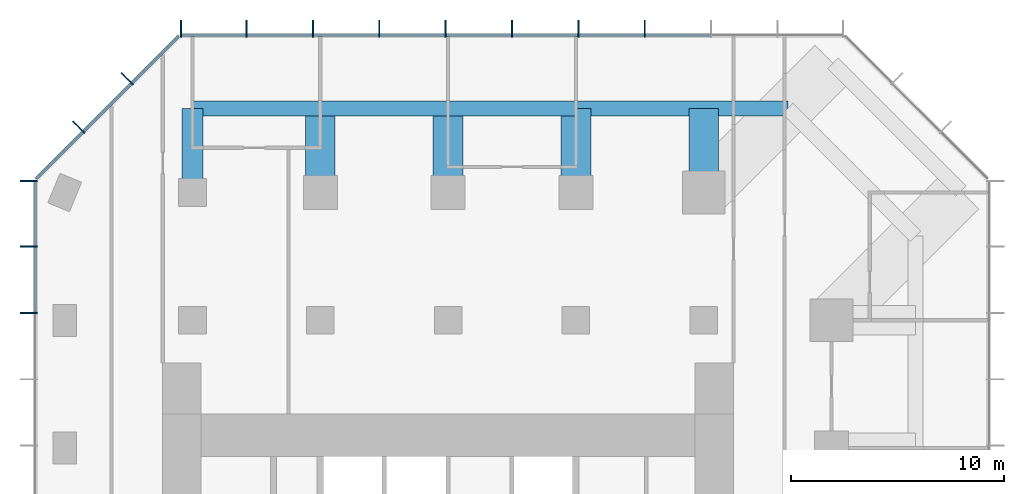
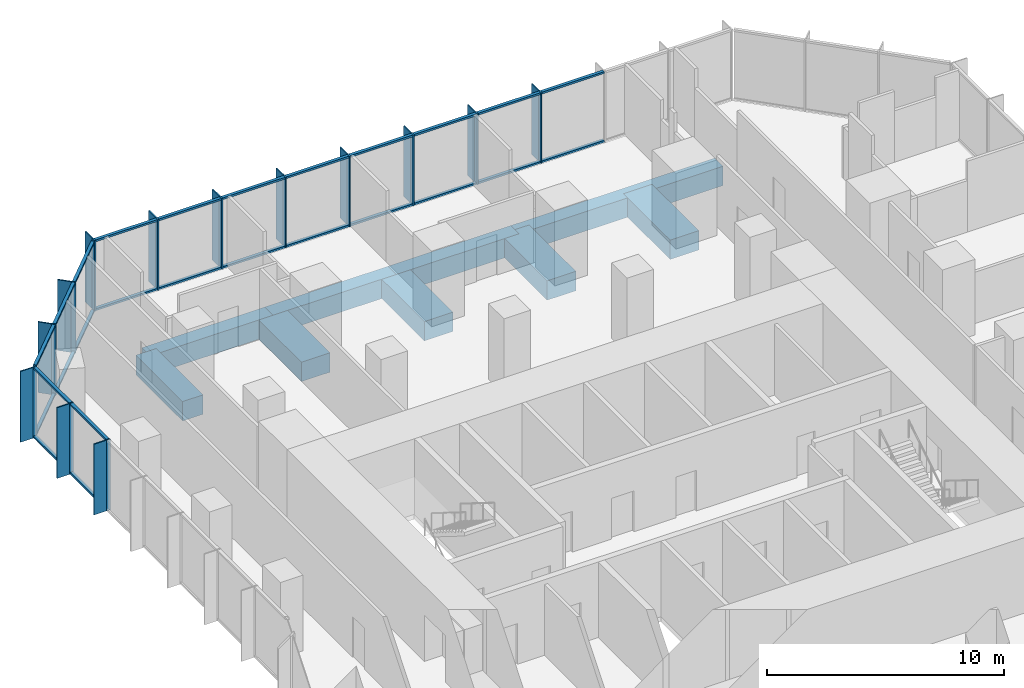
# One storey, part 5 of 11: 52 members, 9 beams, 3 elements without a shape of their own.
"""IFC4 building model written with IfcOpenShell, lengths in metres."""

from ifc_helpers import new_model, si_unit, direction, frame, origin, origin_2d, place, context, subcontext, project, spatial, rectangle, extrude, material, layer, layer_set, material_profile, profile_set, type_object, element, aggregate, save


model = new_model("IFC4")

# Units and contexts
model_context = context("Model", 3, precision=1e-05, world=origin(), true_north=direction((0.0, 1.0)))
body_context = subcontext(model_context, "Body", "Model", "MODEL_VIEW")
ifc_project = project(units=[si_unit("LENGTHUNIT", "METRE"), si_unit("AREAUNIT", "SQUARE_METRE"), si_unit("VOLUMEUNIT", "CUBIC_METRE"), si_unit("PLANEANGLEUNIT", "RADIAN"), si_unit("MASSUNIT", "GRAM", prefix="KILO")], contexts=[model_context])

# Site, building, storey
site_placement = place(None, origin())
site = spatial("IfcSite", under=ifc_project, at=site_placement, CompositionType="ELEMENT")
building_placement = place(site_placement, origin())
building = spatial("IfcBuilding", under=site, at=building_placement, Name="Highveld Stack Headquarters", CompositionType="ELEMENT")
storey_placement = place(building_placement, frame((0.0, 0.0, 169.39990234375)))
storey = spatial("IfcBuildingStorey", under=building, at=storey_placement, Name="L41", CompositionType="ELEMENT", Elevation=169.39990234375)

# Beams
ifc_material_1 = material(Name="Concrete C60/75", Category="concrete")
ifc_material_profile_1 = material_profile(ifc_material_1, rectangle(XDim=1.0, YDim=1.0, at=origin_2d()), Name="RC 1000x1000")
ifc_profile_set_1 = profile_set([ifc_material_profile_1], Name="Concrete C60/75")
beam_type_1 = type_object("IfcBeamType", Name="CANTILEVER RIB RC 1000x1000", PredefinedType="USERDEFINED", material=ifc_profile_set_1)
beam_1_placement = place(storey_placement, frame((-6.0, 24.0, -0.75), z_axis=(0.0, 1.0, 0.0), x_axis=(-1.0, 0.0, 0.0)))
element("IfcBeam", 1, at=beam_1_placement, inside=storey, type_object=beam_type_1, Name="Cantilever rib 5/J L41", ObjectType="CANTILEVER RIB", PredefinedType="USERDEFINED", context=body_context, shape_type="SweptSolid", body=[
    extrude(rectangle(XDim=1.0, YDim=1.0, at=origin_2d()), origin(), (0.0, 0.0, 1.0), 3.949951171875),
])
ifc_material_2 = material(Name="Concrete C60/75", Category="concrete")
ifc_material_profile_2 = material_profile(ifc_material_2, rectangle(XDim=1.39990234375, YDim=1.0, at=origin_2d()), Name="RC 1400x1000")
ifc_profile_set_2 = profile_set([ifc_material_profile_2], Name="Concrete C60/75")
beam_type_2 = type_object("IfcBeamType", Name="CANTILEVER RIB RC 1400x1000", PredefinedType="USERDEFINED", material=ifc_profile_set_2)
for number, where, z_axis, x_axis, name in (
    (2, (0.0, 24.0, -0.75), (0.0, 1.0, 0.0), (-1.0, 0.0, 0.0), "Cantilever rib 6/J L41"),
    (3, (6.0, 24.0, -0.75), (0.0, 1.0, 0.0), (-1.0, 0.0, 0.0), "Cantilever rib 7/J L41"),
    (4, (12.0, 24.0, -0.75), (0.0, 1.0, 0.0), (-1.0, 0.0, 0.0), "Cantilever rib 8/J L41"),
    (5, (18.0, 24.0, -0.75), (0.0, 1.0, 0.0), (-1.0, 0.0, 0.0), "Cantilever rib 9/J L41"),
):
    element("IfcBeam", number, at=place(storey_placement, frame(where, z_axis=z_axis, x_axis=x_axis)), inside=storey, type_object=beam_type_2, Name=name, ObjectType="CANTILEVER RIB", PredefinedType="USERDEFINED", context=body_context, shape_type="SweptSolid", body=[
        extrude(rectangle(XDim=1.39990234375, YDim=1.0, at=origin_2d()), origin(), (0.0, 0.0, 1.0), 3.949951171875),
    ])

# Curtain wall, members
ifc_material_3 = material(Name="Aluminium bronze anodised", Category="aluminium")
ifc_layer = layer(ifc_material_3, 0.199951171875)
ifc_layer_set = layer_set([ifc_layer], Name="Aluminium bronze anodised")
curtain_wall_type = type_object("IfcCurtainWallType", Name="CW6 SKY LOBBY UNITISED CURTAIN WALL", PredefinedType="NOTDEFINED", material=ifc_layer_set)
curtain_wall_1_placement = place(storey_placement, origin())
curtain_wall_1 = element("IfcCurtainWall", 6, at=curtain_wall_1_placement, inside=storey, type_object=curtain_wall_type, Name="Curtain wall CW6 L41 N", PredefinedType="NOTDEFINED")
ifc_material_4 = material(Name="Aluminium bronze anodised", Category="aluminium")
ifc_material_profile_3 = material_profile(ifc_material_4, rectangle(XDim=0.60009765625, YDim=0.06005859375, at=origin_2d()), Name="FIN 600x60")
ifc_profile_set_3 = profile_set([ifc_material_profile_3], Name="Aluminium bronze anodised")
member_type_1 = type_object("IfcMemberType", Name="CW6 BRONZE FIN 600x60", PredefinedType="USERDEFINED", material=ifc_profile_set_3)
member_1_placement = place(storey_placement, frame((15.23193359375, 31.800048828125, 0.0), z_axis=(0.0, 0.0, 1.0), x_axis=(0.0, -1.0, 0.0)))
member_1 = element("IfcMember", 7, at=member_1_placement, type_object=member_type_1, Name="CW6 fin L41 4", ObjectType="FIN", PredefinedType="USERDEFINED", context=body_context, shape_type="SweptSolid", body=[
    extrude(rectangle(XDim=0.60009765625, YDim=0.06005859375, at=origin_2d()), origin(), (0.0, 0.0, 1.0), 3.650146484375),
])
member_2_placement = place(storey_placement, frame((12.115966796875, 31.800048828125, 0.0), z_axis=(0.0, 0.0, 1.0), x_axis=(0.0, -1.0, 0.0)))
member_2 = element("IfcMember", 8, at=member_2_placement, type_object=member_type_1, Name="CW6 fin L41 5", ObjectType="FIN", PredefinedType="USERDEFINED", context=body_context, shape_type="SweptSolid", body=[
    extrude(rectangle(XDim=0.60009765625, YDim=0.06005859375, at=origin_2d()), origin(), (0.0, 0.0, 1.0), 3.650146484375),
])
member_3_placement = place(storey_placement, frame((9.0, 31.800048828125, 0.0), z_axis=(0.0, 0.0, 1.0), x_axis=(0.0, -1.0, 0.0)))
member_3 = element("IfcMember", 9, at=member_3_placement, type_object=member_type_1, Name="CW6 fin L41 6", ObjectType="FIN", PredefinedType="USERDEFINED", context=body_context, shape_type="SweptSolid", body=[
    extrude(rectangle(XDim=0.60009765625, YDim=0.06005859375, at=origin_2d()), origin(), (0.0, 0.0, 1.0), 3.650146484375),
])
member_4_placement = place(storey_placement, frame((5.884033203125, 31.800048828125, 0.0), z_axis=(0.0, 0.0, 1.0), x_axis=(0.0, -1.0, 0.0)))
member_4 = element("IfcMember", 10, at=member_4_placement, type_object=member_type_1, Name="CW6 fin L41 7", ObjectType="FIN", PredefinedType="USERDEFINED", context=body_context, shape_type="SweptSolid", body=[
    extrude(rectangle(XDim=0.60009765625, YDim=0.06005859375, at=origin_2d()), origin(), (0.0, 0.0, 1.0), 3.650146484375),
])
member_5_placement = place(storey_placement, frame((2.76806640625, 31.800048828125, 0.0), z_axis=(0.0, 0.0, 1.0), x_axis=(0.0, -1.0, 0.0)))
member_5 = element("IfcMember", 11, at=member_5_placement, type_object=member_type_1, Name="CW6 fin L41 8", ObjectType="FIN", PredefinedType="USERDEFINED", context=body_context, shape_type="SweptSolid", body=[
    extrude(rectangle(XDim=0.60009765625, YDim=0.06005859375, at=origin_2d()), origin(), (0.0, 0.0, 1.0), 3.650146484375),
])
member_6_placement = place(storey_placement, frame((-0.347900390625, 31.800048828125, 0.0), z_axis=(0.0, 0.0, 1.0), x_axis=(0.0, -1.0, 0.0)))
member_6 = element("IfcMember", 12, at=member_6_placement, type_object=member_type_1, Name="CW6 fin L41 9", ObjectType="FIN", PredefinedType="USERDEFINED", context=body_context, shape_type="SweptSolid", body=[
    extrude(rectangle(XDim=0.60009765625, YDim=0.06005859375, at=origin_2d()), origin(), (0.0, 0.0, 1.0), 3.650146484375),
])
member_7_placement = place(storey_placement, frame((-3.4638671875, 31.800048828125, 0.0), z_axis=(0.0, 0.0, 1.0), x_axis=(0.0, -1.0, 0.0)))
member_7 = element("IfcMember", 13, at=member_7_placement, type_object=member_type_1, Name="CW6 fin L41 10", ObjectType="FIN", PredefinedType="USERDEFINED", context=body_context, shape_type="SweptSolid", body=[
    extrude(rectangle(XDim=0.60009765625, YDim=0.06005859375, at=origin_2d()), origin(), (0.0, 0.0, 1.0), 3.650146484375),
])
member_8_placement = place(storey_placement, frame((-6.54736328125, 31.800048828125, 0.0), z_axis=(0.0, 0.0, 1.0), x_axis=(0.0, -1.0, 0.0)))
member_8 = element("IfcMember", 14, at=member_8_placement, type_object=member_type_1, Name="CW6 fin L41 11", ObjectType="FIN", PredefinedType="USERDEFINED", context=body_context, shape_type="SweptSolid", body=[
    extrude(rectangle(XDim=0.60009765625, YDim=0.06005859375, at=origin_2d()), origin(), (0.0, 0.0, 1.0), 3.650146484375),
])

curtain_wall_2_placement = place(storey_placement, origin())
curtain_wall_2 = element("IfcCurtainWall", 15, at=curtain_wall_2_placement, inside=storey, type_object=curtain_wall_type, Name="Curtain wall CW6 L41 NW", PredefinedType="NOTDEFINED")
member_9_placement = place(storey_placement, frame((-9.135986328125, 29.409423828125, 0.0), z_axis=(0.0, 0.0, 1.0), x_axis=(0.707106781187, -0.707106781187, 0.0)))
member_9 = element("IfcMember", 16, at=member_9_placement, type_object=member_type_1, Name="CW6 fin L41 1", ObjectType="FIN", PredefinedType="USERDEFINED", context=body_context, shape_type="SweptSolid", body=[
    extrude(rectangle(XDim=0.60009765625, YDim=0.06005859375, at=origin_2d()), origin(), (0.0, 0.0, 1.0), 3.650146484375),
])
member_10_placement = place(storey_placement, frame((-11.409423828125, 27.135986328125, 0.0), z_axis=(0.0, 0.0, 1.0), x_axis=(0.707106781187, -0.707106781187, 0.0)))
member_10 = element("IfcMember", 17, at=member_10_placement, type_object=member_type_1, Name="CW6 fin L41 2", ObjectType="FIN", PredefinedType="USERDEFINED", context=body_context, shape_type="SweptSolid", body=[
    extrude(rectangle(XDim=0.60009765625, YDim=0.06005859375, at=origin_2d()), origin(), (0.0, 0.0, 1.0), 3.650146484375),
])

curtain_wall_3_placement = place(storey_placement, origin())
curtain_wall_3 = element("IfcCurtainWall", 18, at=curtain_wall_3_placement, inside=storey, type_object=curtain_wall_type, Name="Curtain wall CW6 L41 W", PredefinedType="NOTDEFINED")
member_11_placement = place(storey_placement, frame((-13.800048828125, 24.54736328125, 0.0), z_axis=(0.0, 0.0, 1.0), x_axis=(1.0, 0.0, 0.0)))
member_11 = element("IfcMember", 19, at=member_11_placement, type_object=member_type_1, Name="CW6 fin L41 1", ObjectType="FIN", PredefinedType="USERDEFINED", context=body_context, shape_type="SweptSolid", body=[
    extrude(rectangle(XDim=0.60009765625, YDim=0.06005859375, at=origin_2d()), origin(), (0.0, 0.0, 1.0), 3.650146484375),
])
member_12_placement = place(storey_placement, frame((-13.800048828125, 21.4638671875, 0.0), z_axis=(0.0, 0.0, 1.0), x_axis=(1.0, 0.0, 0.0)))
member_12 = element("IfcMember", 20, at=member_12_placement, type_object=member_type_1, Name="CW6 fin L41 2", ObjectType="FIN", PredefinedType="USERDEFINED", context=body_context, shape_type="SweptSolid", body=[
    extrude(rectangle(XDim=0.60009765625, YDim=0.06005859375, at=origin_2d()), origin(), (0.0, 0.0, 1.0), 3.650146484375),
])
member_13_placement = place(storey_placement, frame((-13.800048828125, 18.347900390625, 0.0), z_axis=(0.0, 0.0, 1.0), x_axis=(1.0, 0.0, 0.0)))
member_13 = element("IfcMember", 21, at=member_13_placement, type_object=member_type_1, Name="CW6 fin L41 3", ObjectType="FIN", PredefinedType="USERDEFINED", context=body_context, shape_type="SweptSolid", body=[
    extrude(rectangle(XDim=0.60009765625, YDim=0.06005859375, at=origin_2d()), origin(), (0.0, 0.0, 1.0), 3.650146484375),
])

# Member
ifc_material_5 = material(Name="Aluminium bronze anodised", Category="aluminium")
ifc_material_profile_4 = material_profile(ifc_material_5, rectangle(XDim=0.199951171875, YDim=0.06494140625, at=origin_2d()), Name="CW6 MULLION 65x200")
ifc_profile_set_4 = profile_set([ifc_material_profile_4], Name="Aluminium bronze anodised")
member_type_2 = type_object("IfcMemberType", Name="CW6 MULLION 65x200", PredefinedType="MULLION", material=ifc_profile_set_4)
member_14_placement = place(storey_placement, frame((15.23193359375, 31.39990234375, 0.0), z_axis=(0.0, 0.0, 1.0), x_axis=(0.0, -1.0, 0.0)))
member_14 = element("IfcMember", 22, at=member_14_placement, type_object=member_type_2, Name="CW6 mullion L41 4", PredefinedType="MULLION", context=body_context, shape_type="SweptSolid", body=[
    extrude(rectangle(XDim=0.199951171875, YDim=0.06494140625, at=origin_2d()), origin(), (0.0, 0.0, 1.0), 3.650146484375),
])

member_15_placement = place(storey_placement, frame((12.115966796875, 31.39990234375, 0.0), z_axis=(0.0, 0.0, 1.0), x_axis=(0.0, -1.0, 0.0)))
member_15 = element("IfcMember", 23, at=member_15_placement, type_object=member_type_2, Name="CW6 mullion L41 5", PredefinedType="MULLION", context=body_context, shape_type="SweptSolid", body=[
    extrude(rectangle(XDim=0.199951171875, YDim=0.06494140625, at=origin_2d()), origin(), (0.0, 0.0, 1.0), 3.650146484375),
])

member_16_placement = place(storey_placement, frame((9.0, 31.39990234375, 0.0), z_axis=(0.0, 0.0, 1.0), x_axis=(0.0, -1.0, 0.0)))
member_16 = element("IfcMember", 24, at=member_16_placement, type_object=member_type_2, Name="CW6 mullion L41 6", PredefinedType="MULLION", context=body_context, shape_type="SweptSolid", body=[
    extrude(rectangle(XDim=0.199951171875, YDim=0.06494140625, at=origin_2d()), origin(), (0.0, 0.0, 1.0), 3.650146484375),
])

member_17_placement = place(storey_placement, frame((5.884033203125, 31.39990234375, 0.0), z_axis=(0.0, 0.0, 1.0), x_axis=(0.0, -1.0, 0.0)))
member_17 = element("IfcMember", 25, at=member_17_placement, type_object=member_type_2, Name="CW6 mullion L41 7", PredefinedType="MULLION", context=body_context, shape_type="SweptSolid", body=[
    extrude(rectangle(XDim=0.199951171875, YDim=0.06494140625, at=origin_2d()), origin(), (0.0, 0.0, 1.0), 3.650146484375),
])

member_18_placement = place(storey_placement, frame((2.76806640625, 31.39990234375, 0.0), z_axis=(0.0, 0.0, 1.0), x_axis=(0.0, -1.0, 0.0)))
member_18 = element("IfcMember", 26, at=member_18_placement, type_object=member_type_2, Name="CW6 mullion L41 8", PredefinedType="MULLION", context=body_context, shape_type="SweptSolid", body=[
    extrude(rectangle(XDim=0.199951171875, YDim=0.06494140625, at=origin_2d()), origin(), (0.0, 0.0, 1.0), 3.650146484375),
])

member_19_placement = place(storey_placement, frame((-0.347900390625, 31.39990234375, 0.0), z_axis=(0.0, 0.0, 1.0), x_axis=(0.0, -1.0, 0.0)))
member_19 = element("IfcMember", 27, at=member_19_placement, type_object=member_type_2, Name="CW6 mullion L41 9", PredefinedType="MULLION", context=body_context, shape_type="SweptSolid", body=[
    extrude(rectangle(XDim=0.199951171875, YDim=0.06494140625, at=origin_2d()), origin(), (0.0, 0.0, 1.0), 3.650146484375),
])

member_20_placement = place(storey_placement, frame((-3.4638671875, 31.39990234375, 0.0), z_axis=(0.0, 0.0, 1.0), x_axis=(0.0, -1.0, 0.0)))
member_20 = element("IfcMember", 28, at=member_20_placement, type_object=member_type_2, Name="CW6 mullion L41 10", PredefinedType="MULLION", context=body_context, shape_type="SweptSolid", body=[
    extrude(rectangle(XDim=0.199951171875, YDim=0.06494140625, at=origin_2d()), origin(), (0.0, 0.0, 1.0), 3.650146484375),
])

member_21_placement = place(storey_placement, frame((-6.54736328125, 31.39990234375, 0.0), z_axis=(0.0, 0.0, 1.0), x_axis=(0.0, -1.0, 0.0)))
member_21 = element("IfcMember", 29, at=member_21_placement, type_object=member_type_2, Name="CW6 mullion L41 11", PredefinedType="MULLION", context=body_context, shape_type="SweptSolid", body=[
    extrude(rectangle(XDim=0.199951171875, YDim=0.06494140625, at=origin_2d()), origin(), (0.0, 0.0, 1.0), 3.650146484375),
])

member_22_placement = place(storey_placement, frame((-8.853271484375, 29.126708984375, 0.0), z_axis=(0.0, 0.0, 1.0), x_axis=(0.707106781187, -0.707106781187, 0.0)))
member_22 = element("IfcMember", 30, at=member_22_placement, type_object=member_type_2, Name="CW6 mullion L41 1", PredefinedType="MULLION", context=body_context, shape_type="SweptSolid", body=[
    extrude(rectangle(XDim=0.199951171875, YDim=0.06494140625, at=origin_2d()), origin(), (0.0, 0.0, 1.0), 3.650146484375),
])

member_23_placement = place(storey_placement, frame((-11.126708984375, 26.853271484375, 0.0), z_axis=(0.0, 0.0, 1.0), x_axis=(0.707106781187, -0.707106781187, 0.0)))
member_23 = element("IfcMember", 31, at=member_23_placement, type_object=member_type_2, Name="CW6 mullion L41 2", PredefinedType="MULLION", context=body_context, shape_type="SweptSolid", body=[
    extrude(rectangle(XDim=0.199951171875, YDim=0.06494140625, at=origin_2d()), origin(), (0.0, 0.0, 1.0), 3.650146484375),
])

member_24_placement = place(storey_placement, frame((-13.39990234375, 24.54736328125, 0.0), z_axis=(0.0, 0.0, 1.0), x_axis=(1.0, 0.0, 0.0)))
member_24 = element("IfcMember", 32, at=member_24_placement, type_object=member_type_2, Name="CW6 mullion L41 1", PredefinedType="MULLION", context=body_context, shape_type="SweptSolid", body=[
    extrude(rectangle(XDim=0.199951171875, YDim=0.06494140625, at=origin_2d()), origin(), (0.0, 0.0, 1.0), 3.650146484375),
])

member_25_placement = place(storey_placement, frame((-13.39990234375, 21.4638671875, 0.0), z_axis=(0.0, 0.0, 1.0), x_axis=(1.0, 0.0, 0.0)))
member_25 = element("IfcMember", 33, at=member_25_placement, type_object=member_type_2, Name="CW6 mullion L41 2", PredefinedType="MULLION", context=body_context, shape_type="SweptSolid", body=[
    extrude(rectangle(XDim=0.199951171875, YDim=0.06494140625, at=origin_2d()), origin(), (0.0, 0.0, 1.0), 3.650146484375),
])

member_26_placement = place(storey_placement, frame((-13.39990234375, 18.347900390625, 0.0), z_axis=(0.0, 0.0, 1.0), x_axis=(1.0, 0.0, 0.0)))
member_26 = element("IfcMember", 34, at=member_26_placement, type_object=member_type_2, Name="CW6 mullion L41 3", PredefinedType="MULLION", context=body_context, shape_type="SweptSolid", body=[
    extrude(rectangle(XDim=0.199951171875, YDim=0.06494140625, at=origin_2d()), origin(), (0.0, 0.0, 1.0), 3.650146484375),
])

ifc_material_6 = material(Name="Aluminium bronze anodised", Category="aluminium")
ifc_material_profile_5 = material_profile(ifc_material_6, rectangle(XDim=0.14990234375, YDim=0.10009765625, at=origin_2d()), Name="CW6 TRANSOM 150x100")
ifc_profile_set_5 = profile_set([ifc_material_profile_5], Name="Aluminium bronze anodised")
member_type_3 = type_object("IfcMemberType", Name="CW6 STACK TRANSOM 150x100", PredefinedType="USERDEFINED", material=ifc_profile_set_5)
member_27_placement = place(storey_placement, frame((18.3154296875, 31.39990234375, 0.050048828125), z_axis=(-1.0, 0.0, 0.0), x_axis=(0.0, -1.0, 0.0)))
member_27 = element("IfcMember", 35, at=member_27_placement, type_object=member_type_3, Name="CW6 transom L41 3.1", ObjectType="TRANSOM", PredefinedType="USERDEFINED", context=body_context, shape_type="SweptSolid", body=[
    extrude(rectangle(XDim=0.14990234375, YDim=0.10009765625, at=origin_2d()), origin(), (0.0, 0.0, 1.0), 3.051025390625),
])

member_28_placement = place(storey_placement, frame((18.3154296875, 31.39990234375, 3.60009765625), z_axis=(-1.0, 0.0, 0.0), x_axis=(0.0, -1.0, 0.0)))
member_28 = element("IfcMember", 36, at=member_28_placement, type_object=member_type_3, Name="CW6 transom L41 3.2", ObjectType="TRANSOM", PredefinedType="USERDEFINED", context=body_context, shape_type="SweptSolid", body=[
    extrude(rectangle(XDim=0.14990234375, YDim=0.10009765625, at=origin_2d()), origin(), (0.0, 0.0, 1.0), 3.051025390625),
])

member_29_placement = place(storey_placement, frame((15.199462890625, 31.39990234375, 0.050048828125), z_axis=(-1.0, 0.0, 0.0), x_axis=(0.0, -1.0, 0.0)))
member_29 = element("IfcMember", 37, at=member_29_placement, type_object=member_type_3, Name="CW6 transom L41 4.1", ObjectType="TRANSOM", PredefinedType="USERDEFINED", context=body_context, shape_type="SweptSolid", body=[
    extrude(rectangle(XDim=0.14990234375, YDim=0.10009765625, at=origin_2d()), origin(), (0.0, 0.0, 1.0), 3.051025390625),
])

member_30_placement = place(storey_placement, frame((15.199462890625, 31.39990234375, 3.60009765625), z_axis=(-1.0, 0.0, 0.0), x_axis=(0.0, -1.0, 0.0)))
member_30 = element("IfcMember", 38, at=member_30_placement, type_object=member_type_3, Name="CW6 transom L41 4.2", ObjectType="TRANSOM", PredefinedType="USERDEFINED", context=body_context, shape_type="SweptSolid", body=[
    extrude(rectangle(XDim=0.14990234375, YDim=0.10009765625, at=origin_2d()), origin(), (0.0, 0.0, 1.0), 3.051025390625),
])

member_31_placement = place(storey_placement, frame((12.08349609375, 31.39990234375, 0.050048828125), z_axis=(-1.0, 0.0, 0.0), x_axis=(0.0, -1.0, 0.0)))
member_31 = element("IfcMember", 39, at=member_31_placement, type_object=member_type_3, Name="CW6 transom L41 5.1", ObjectType="TRANSOM", PredefinedType="USERDEFINED", context=body_context, shape_type="SweptSolid", body=[
    extrude(rectangle(XDim=0.14990234375, YDim=0.10009765625, at=origin_2d()), origin(), (0.0, 0.0, 1.0), 3.051025390625),
])

member_32_placement = place(storey_placement, frame((12.08349609375, 31.39990234375, 3.60009765625), z_axis=(-1.0, 0.0, 0.0), x_axis=(0.0, -1.0, 0.0)))
member_32 = element("IfcMember", 40, at=member_32_placement, type_object=member_type_3, Name="CW6 transom L41 5.2", ObjectType="TRANSOM", PredefinedType="USERDEFINED", context=body_context, shape_type="SweptSolid", body=[
    extrude(rectangle(XDim=0.14990234375, YDim=0.10009765625, at=origin_2d()), origin(), (0.0, 0.0, 1.0), 3.051025390625),
])

member_33_placement = place(storey_placement, frame((8.967529296875, 31.39990234375, 0.050048828125), z_axis=(-1.0, 0.0, 0.0), x_axis=(0.0, -1.0, 0.0)))
member_33 = element("IfcMember", 41, at=member_33_placement, type_object=member_type_3, Name="CW6 transom L41 6.1", ObjectType="TRANSOM", PredefinedType="USERDEFINED", context=body_context, shape_type="SweptSolid", body=[
    extrude(rectangle(XDim=0.14990234375, YDim=0.10009765625, at=origin_2d()), origin(), (0.0, 0.0, 1.0), 3.051025390625),
])

member_34_placement = place(storey_placement, frame((8.967529296875, 31.39990234375, 3.60009765625), z_axis=(-1.0, 0.0, 0.0), x_axis=(0.0, -1.0, 0.0)))
member_34 = element("IfcMember", 42, at=member_34_placement, type_object=member_type_3, Name="CW6 transom L41 6.2", ObjectType="TRANSOM", PredefinedType="USERDEFINED", context=body_context, shape_type="SweptSolid", body=[
    extrude(rectangle(XDim=0.14990234375, YDim=0.10009765625, at=origin_2d()), origin(), (0.0, 0.0, 1.0), 3.051025390625),
])

member_35_placement = place(storey_placement, frame((5.8515625, 31.39990234375, 0.050048828125), z_axis=(-1.0, 0.0, 0.0), x_axis=(0.0, -1.0, 0.0)))
member_35 = element("IfcMember", 43, at=member_35_placement, type_object=member_type_3, Name="CW6 transom L41 7.1", ObjectType="TRANSOM", PredefinedType="USERDEFINED", context=body_context, shape_type="SweptSolid", body=[
    extrude(rectangle(XDim=0.14990234375, YDim=0.10009765625, at=origin_2d()), origin(), (0.0, 0.0, 1.0), 3.051025390625),
])

member_36_placement = place(storey_placement, frame((5.8515625, 31.39990234375, 3.60009765625), z_axis=(-1.0, 0.0, 0.0), x_axis=(0.0, -1.0, 0.0)))
member_36 = element("IfcMember", 44, at=member_36_placement, type_object=member_type_3, Name="CW6 transom L41 7.2", ObjectType="TRANSOM", PredefinedType="USERDEFINED", context=body_context, shape_type="SweptSolid", body=[
    extrude(rectangle(XDim=0.14990234375, YDim=0.10009765625, at=origin_2d()), origin(), (0.0, 0.0, 1.0), 3.051025390625),
])

member_37_placement = place(storey_placement, frame((2.735595703125, 31.39990234375, 0.050048828125), z_axis=(-1.0, 0.0, 0.0), x_axis=(0.0, -1.0, 0.0)))
member_37 = element("IfcMember", 45, at=member_37_placement, type_object=member_type_3, Name="CW6 transom L41 8.1", ObjectType="TRANSOM", PredefinedType="USERDEFINED", context=body_context, shape_type="SweptSolid", body=[
    extrude(rectangle(XDim=0.14990234375, YDim=0.10009765625, at=origin_2d()), origin(), (0.0, 0.0, 1.0), 3.051025390625),
])

member_38_placement = place(storey_placement, frame((2.735595703125, 31.39990234375, 3.60009765625), z_axis=(-1.0, 0.0, 0.0), x_axis=(0.0, -1.0, 0.0)))
member_38 = element("IfcMember", 46, at=member_38_placement, type_object=member_type_3, Name="CW6 transom L41 8.2", ObjectType="TRANSOM", PredefinedType="USERDEFINED", context=body_context, shape_type="SweptSolid", body=[
    extrude(rectangle(XDim=0.14990234375, YDim=0.10009765625, at=origin_2d()), origin(), (0.0, 0.0, 1.0), 3.051025390625),
])

member_39_placement = place(storey_placement, frame((-0.38037109375, 31.39990234375, 0.050048828125), z_axis=(-1.0, 0.0, 0.0), x_axis=(0.0, -1.0, 0.0)))
member_39 = element("IfcMember", 47, at=member_39_placement, type_object=member_type_3, Name="CW6 transom L41 9.1", ObjectType="TRANSOM", PredefinedType="USERDEFINED", context=body_context, shape_type="SweptSolid", body=[
    extrude(rectangle(XDim=0.14990234375, YDim=0.10009765625, at=origin_2d()), origin(), (0.0, 0.0, 1.0), 3.051025390625),
])

member_40_placement = place(storey_placement, frame((-0.38037109375, 31.39990234375, 3.60009765625), z_axis=(-1.0, 0.0, 0.0), x_axis=(0.0, -1.0, 0.0)))
member_40 = element("IfcMember", 48, at=member_40_placement, type_object=member_type_3, Name="CW6 transom L41 9.2", ObjectType="TRANSOM", PredefinedType="USERDEFINED", context=body_context, shape_type="SweptSolid", body=[
    extrude(rectangle(XDim=0.14990234375, YDim=0.10009765625, at=origin_2d()), origin(), (0.0, 0.0, 1.0), 3.051025390625),
])

member_41_placement = place(storey_placement, frame((-3.496337890625, 31.39990234375, 0.050048828125), z_axis=(-1.0, 0.0, 0.0), x_axis=(0.0, -1.0, 0.0)))
member_41 = element("IfcMember", 49, at=member_41_placement, type_object=member_type_3, Name="CW6 transom L41 10.1", ObjectType="TRANSOM", PredefinedType="USERDEFINED", context=body_context, shape_type="SweptSolid", body=[
    extrude(rectangle(XDim=0.14990234375, YDim=0.10009765625, at=origin_2d()), origin(), (0.0, 0.0, 1.0), 3.0185546875),
])

member_42_placement = place(storey_placement, frame((-3.496337890625, 31.39990234375, 3.60009765625), z_axis=(-1.0, 0.0, 0.0), x_axis=(0.0, -1.0, 0.0)))
member_42 = element("IfcMember", 50, at=member_42_placement, type_object=member_type_3, Name="CW6 transom L41 10.2", ObjectType="TRANSOM", PredefinedType="USERDEFINED", context=body_context, shape_type="SweptSolid", body=[
    extrude(rectangle(XDim=0.14990234375, YDim=0.10009765625, at=origin_2d()), origin(), (0.0, 0.0, 1.0), 3.0185546875),
])

aggregate(curtain_wall_1, [member_14, member_1, member_15, member_2, member_16, member_3, member_17, member_4, member_18, member_5, member_19, member_6, member_20, member_7, member_21, member_8, member_27, member_28, member_29, member_30, member_31, member_32, member_33, member_34, member_35, member_36, member_37, member_38, member_39, member_40, member_41, member_42])

member_43_placement = place(storey_placement, frame((-6.650634765625, 31.329345703125, 0.050048828125), z_axis=(-0.707106781187, -0.707106781187, 0.0), x_axis=(0.707106781187, -0.707106781187, 0.0)))
member_43 = element("IfcMember", 51, at=member_43_placement, type_object=member_type_3, Name="CW6 transom L41 1.1", ObjectType="TRANSOM", PredefinedType="USERDEFINED", context=body_context, shape_type="SweptSolid", body=[
    extrude(rectangle(XDim=0.14990234375, YDim=0.10009765625, at=origin_2d()), origin(), (0.0, 0.0, 1.0), 3.08251953125),
])

member_44_placement = place(storey_placement, frame((-6.650634765625, 31.329345703125, 3.60009765625), z_axis=(-0.707106781187, -0.707106781187, 0.0), x_axis=(0.707106781187, -0.707106781187, 0.0)))
member_44 = element("IfcMember", 52, at=member_44_placement, type_object=member_type_3, Name="CW6 transom L41 1.2", ObjectType="TRANSOM", PredefinedType="USERDEFINED", context=body_context, shape_type="SweptSolid", body=[
    extrude(rectangle(XDim=0.14990234375, YDim=0.10009765625, at=origin_2d()), origin(), (0.0, 0.0, 1.0), 3.08251953125),
])

member_45_placement = place(storey_placement, frame((-8.876220703125, 29.103759765625, 0.050048828125), z_axis=(-0.707106781187, -0.707106781187, 0.0), x_axis=(0.707106781187, -0.707106781187, 0.0)))
member_45 = element("IfcMember", 53, at=member_45_placement, type_object=member_type_3, Name="CW6 transom L41 2.1", ObjectType="TRANSOM", PredefinedType="USERDEFINED", context=body_context, shape_type="SweptSolid", body=[
    extrude(rectangle(XDim=0.14990234375, YDim=0.10009765625, at=origin_2d()), origin(), (0.0, 0.0, 1.0), 3.150146484375),
])

member_46_placement = place(storey_placement, frame((-8.876220703125, 29.103759765625, 3.60009765625), z_axis=(-0.707106781187, -0.707106781187, 0.0), x_axis=(0.707106781187, -0.707106781187, 0.0)))
member_46 = element("IfcMember", 54, at=member_46_placement, type_object=member_type_3, Name="CW6 transom L41 2.2", ObjectType="TRANSOM", PredefinedType="USERDEFINED", context=body_context, shape_type="SweptSolid", body=[
    extrude(rectangle(XDim=0.14990234375, YDim=0.10009765625, at=origin_2d()), origin(), (0.0, 0.0, 1.0), 3.150146484375),
])

member_47_placement = place(storey_placement, frame((-11.149658203125, 26.830322265625, 0.050048828125), z_axis=(-0.707106781187, -0.707106781187, 0.0), x_axis=(0.707106781187, -0.707106781187, 0.0)))
member_47 = element("IfcMember", 55, at=member_47_placement, type_object=member_type_3, Name="CW6 transom L41 3.1", ObjectType="TRANSOM", PredefinedType="USERDEFINED", context=body_context, shape_type="SweptSolid", body=[
    extrude(rectangle(XDim=0.14990234375, YDim=0.10009765625, at=origin_2d()), origin(), (0.0, 0.0, 1.0), 3.08251953125),
])

member_48_placement = place(storey_placement, frame((-11.149658203125, 26.830322265625, 3.60009765625), z_axis=(-0.707106781187, -0.707106781187, 0.0), x_axis=(0.707106781187, -0.707106781187, 0.0)))
member_48 = element("IfcMember", 56, at=member_48_placement, type_object=member_type_3, Name="CW6 transom L41 3.2", ObjectType="TRANSOM", PredefinedType="USERDEFINED", context=body_context, shape_type="SweptSolid", body=[
    extrude(rectangle(XDim=0.14990234375, YDim=0.10009765625, at=origin_2d()), origin(), (0.0, 0.0, 1.0), 3.08251953125),
])

aggregate(curtain_wall_2, [member_22, member_9, member_23, member_10, member_43, member_44, member_45, member_46, member_47, member_48])

member_49_placement = place(storey_placement, frame((-13.39990234375, 24.514892578125, 0.050048828125), z_axis=(0.0, -1.0, 0.0), x_axis=(1.0, 0.0, 0.0)))
member_49 = element("IfcMember", 57, at=member_49_placement, type_object=member_type_3, Name="CW6 transom L41 1.1", ObjectType="TRANSOM", PredefinedType="USERDEFINED", context=body_context, shape_type="SweptSolid", body=[
    extrude(rectangle(XDim=0.14990234375, YDim=0.10009765625, at=origin_2d()), origin(), (0.0, 0.0, 1.0), 3.0185546875),
])

member_50_placement = place(storey_placement, frame((-13.39990234375, 24.514892578125, 3.60009765625), z_axis=(0.0, -1.0, 0.0), x_axis=(1.0, 0.0, 0.0)))
member_50 = element("IfcMember", 58, at=member_50_placement, type_object=member_type_3, Name="CW6 transom L41 1.2", ObjectType="TRANSOM", PredefinedType="USERDEFINED", context=body_context, shape_type="SweptSolid", body=[
    extrude(rectangle(XDim=0.14990234375, YDim=0.10009765625, at=origin_2d()), origin(), (0.0, 0.0, 1.0), 3.0185546875),
])

member_51_placement = place(storey_placement, frame((-13.39990234375, 21.431396484375, 0.050048828125), z_axis=(0.0, -1.0, 0.0), x_axis=(1.0, 0.0, 0.0)))
member_51 = element("IfcMember", 59, at=member_51_placement, type_object=member_type_3, Name="CW6 transom L41 2.1", ObjectType="TRANSOM", PredefinedType="USERDEFINED", context=body_context, shape_type="SweptSolid", body=[
    extrude(rectangle(XDim=0.14990234375, YDim=0.10009765625, at=origin_2d()), origin(), (0.0, 0.0, 1.0), 3.051025390625),
])

member_52_placement = place(storey_placement, frame((-13.39990234375, 21.431396484375, 3.60009765625), z_axis=(0.0, -1.0, 0.0), x_axis=(1.0, 0.0, 0.0)))
member_52 = element("IfcMember", 60, at=member_52_placement, type_object=member_type_3, Name="CW6 transom L41 2.2", ObjectType="TRANSOM", PredefinedType="USERDEFINED", context=body_context, shape_type="SweptSolid", body=[
    extrude(rectangle(XDim=0.14990234375, YDim=0.10009765625, at=origin_2d()), origin(), (0.0, 0.0, 1.0), 3.051025390625),
])

aggregate(curtain_wall_3, [member_24, member_11, member_25, member_12, member_26, member_13, member_49, member_50, member_51, member_52])

# Beams
ifc_material_7 = material(Name="Concrete C60/75", Category="concrete")
ifc_material_profile_6 = material_profile(ifc_material_7, rectangle(XDim=0.699951171875, YDim=1.0, at=origin_2d()), Name="RC 700x1000")
ifc_profile_set_6 = profile_set([ifc_material_profile_6], Name="Concrete C60/75")
beam_type_3 = type_object("IfcBeamType", Name="RIB TIP BEAM RC 700x1000", PredefinedType="SPANDREL", material=ifc_profile_set_6)
for number, where, z_axis, x_axis, name in (
    (61, (-6.0, 27.949951171875, -0.75), (1.0, 0.0, 0.0), (0.0, 1.0, 0.0), "Rib tip beam 5/J to 6/J L41"),
    (62, (0.0, 27.949951171875, -0.75), (1.0, 0.0, 0.0), (0.0, 1.0, 0.0), "Rib tip beam 6/J to 7/J L41"),
    (63, (6.0, 27.949951171875, -0.75), (1.0, 0.0, 0.0), (0.0, 1.0, 0.0), "Rib tip beam 7/J to 8/J L41"),
):
    element("IfcBeam", number, at=place(storey_placement, frame(where, z_axis=z_axis, x_axis=x_axis)), inside=storey, type_object=beam_type_3, Name=name, PredefinedType="SPANDREL", context=body_context, shape_type="SweptSolid", body=[
        extrude(rectangle(XDim=0.699951171875, YDim=1.0, at=origin_2d()), origin(), (0.0, 0.0, 1.0), 6.0),
    ])
beam_2_placement = place(storey_placement, frame((12.0, 27.949951171875, -0.75), z_axis=(1.0, 0.0, 0.0), x_axis=(0.0, 1.0, 0.0)))
element("IfcBeam", 64, at=beam_2_placement, inside=storey, type_object=beam_type_3, Name="Rib tip beam 8/J to 9/J L41", PredefinedType="SPANDREL", context=body_context, shape_type="SweptSolid", body=[
    extrude(rectangle(XDim=0.699951171875, YDim=1.0, at=origin_2d()), origin(), (0.0, 0.0, 1.0), 9.949951171875),
])

save(model, "model.ifc")
